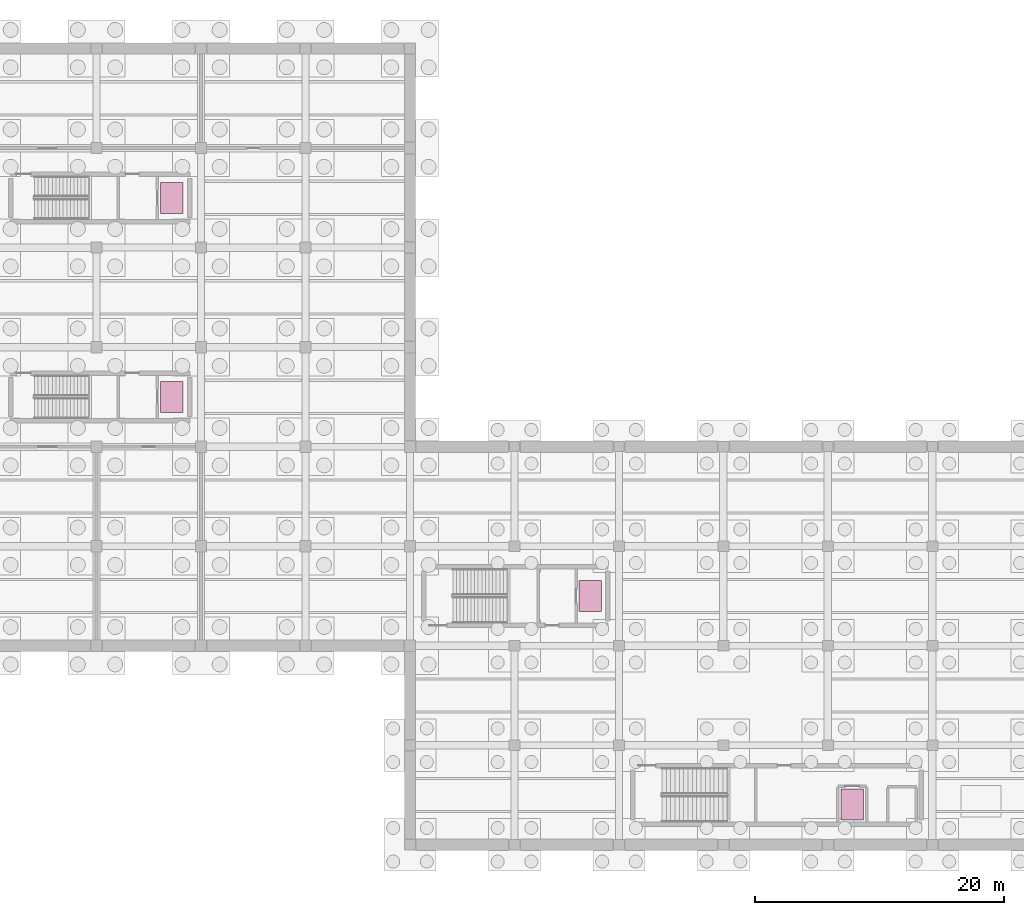
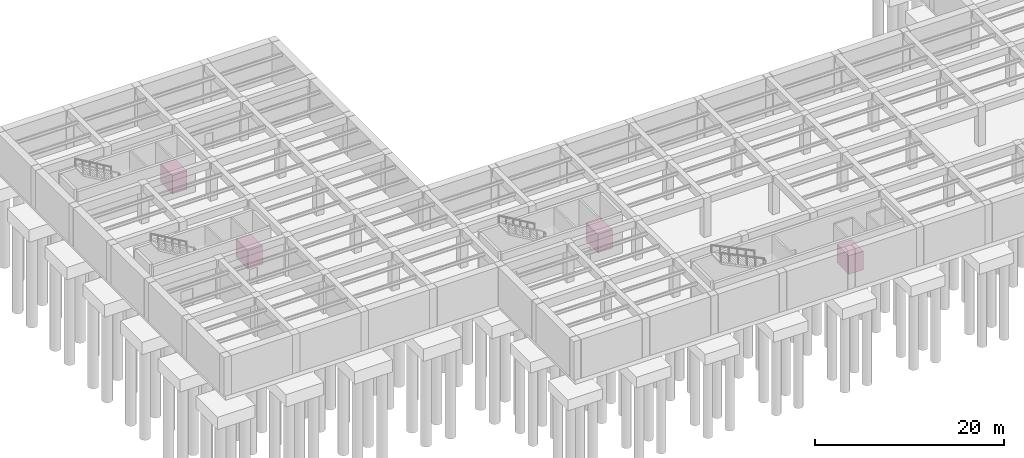
# One storey, part 12 of 12: 4 transport elements.
"""IFC4 building model written with IfcOpenShell, lengths in metres."""

from ifc_helpers import new_model, si_unit, direction, frame, origin, origin_2d, place, context, subcontext, project, spatial, rectangle, extrude, material, type_object, element, save


model = new_model("IFC4")

# Units and contexts
model_context = context("Model", 3, precision=1e-05, world=origin(), true_north=direction((0.0, 1.0)))
body_context = subcontext(model_context, "Body", "Model", "MODEL_VIEW")
ifc_project = project(units=[si_unit("LENGTHUNIT", "METRE"), si_unit("AREAUNIT", "SQUARE_METRE"), si_unit("VOLUMEUNIT", "CUBIC_METRE"), si_unit("PLANEANGLEUNIT", "RADIAN"), si_unit("MASSUNIT", "GRAM", prefix="KILO")], contexts=[model_context])

# Site, building, storey
site_placement = place(None, origin())
site = spatial("IfcSite", under=ifc_project, at=site_placement, CompositionType="ELEMENT")
building_placement = place(site_placement, origin())
building = spatial("IfcBuilding", under=site, at=building_placement, Name="Kranzveld Transit Interchange", CompositionType="ELEMENT")
storey_placement = place(building_placement, frame((0.0, 0.0, -10.8798828125)))
storey = spatial("IfcBuildingStorey", under=building, at=storey_placement, Name="B2", CompositionType="ELEMENT", Elevation=-10.8798828125)

# Transport elements
ifc_material = material(Name="Steel S355JR", Category="steel")
transport_element_type = type_object("IfcTransportElementType", Name="Firefighting Passenger Lift 1800x2500 2000kg", PredefinedType="ELEVATOR", material=ifc_material)
for number, where, z_axis, x_axis, name in (
    (1, (14.449951171875, 68.0, 0.0), (0.0, 0.0, 1.0), (1.0, 0.0, 0.0), "Passenger Lift LF-C1"),
    (2, (14.449951171875, 84.0, 0.0), (0.0, 0.0, 1.0), (1.0, 0.0, 0.0), "Passenger Lift LF-C2"),
    (3, (48.10009765625, 52.0, 0.0), (0.0, 0.0, 1.0), (1.0, 0.0, 0.0), "Passenger Lift LF-M1"),
    (4, (69.14990234375, 35.239990234375, 0.0), (0.0, 0.0, 1.0), (1.0, 0.0, 0.0), "Passenger Lift LF-M2"),
):
    element("IfcTransportElement", number, at=place(storey_placement, frame(where, z_axis=z_axis, x_axis=x_axis)), inside=storey, type_object=transport_element_type, Name=name, PredefinedType="ELEVATOR", context=body_context, shape_type="SweptSolid", body=[
        extrude(rectangle(XDim=1.800048828125, YDim=2.5, at=origin_2d()), origin(), (0.0, 0.0, 1.0), 2.39990234375),
    ])

save(model, "model.ifc")
